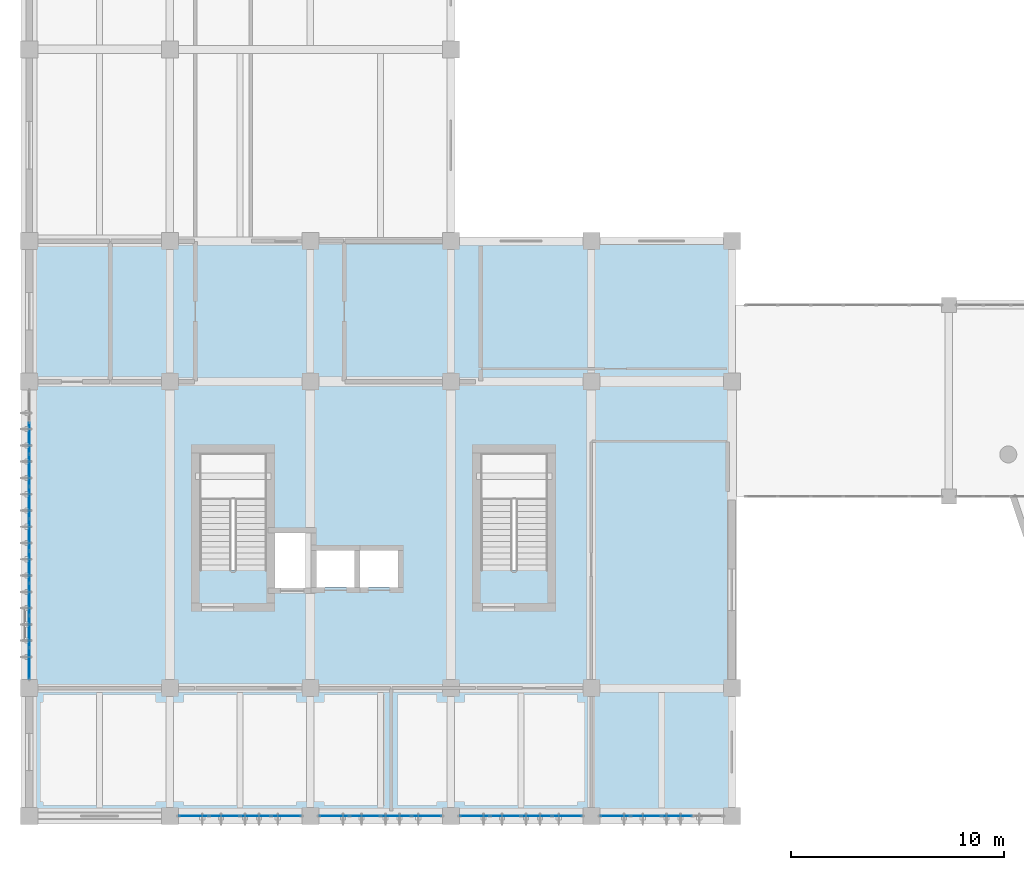
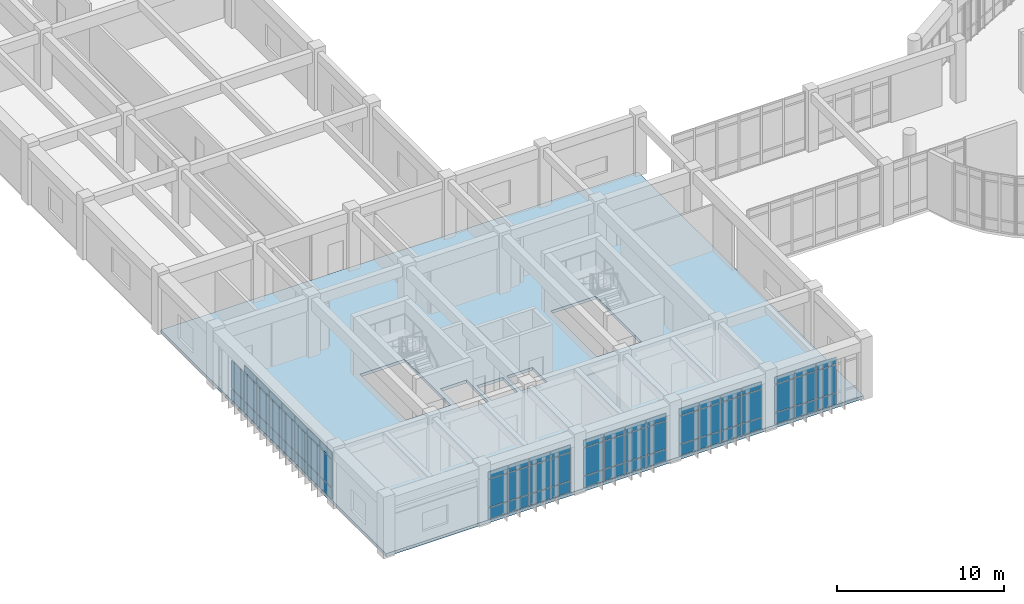
# One storey, part 31 of 54: 68 plates, 1 slab, 5 elements without a shape of their own.
"""IFC4 building model written with IfcOpenShell, lengths in metres."""

from ifc_helpers import new_model, si_unit, direction, frame, origin, origin_2d, place, context, subcontext, project, spatial, polyline, rectangle, outline, extrude, material, layer, layer_set, type_object, element, aggregate, save


model = new_model("IFC4")

# Units and contexts
model_context = context("Model", 3, precision=1e-05, world=origin(), true_north=direction((0.0, 1.0)))
body_context = subcontext(model_context, "Body", "Model", "MODEL_VIEW")
ifc_project = project(units=[si_unit("LENGTHUNIT", "METRE"), si_unit("AREAUNIT", "SQUARE_METRE"), si_unit("VOLUMEUNIT", "CUBIC_METRE"), si_unit("PLANEANGLEUNIT", "RADIAN"), si_unit("MASSUNIT", "GRAM", prefix="KILO")], contexts=[model_context])

# Site, building, storey
site_placement = place(None, origin())
site = spatial("IfcSite", under=ifc_project, at=site_placement, CompositionType="ELEMENT")
building_placement = place(site_placement, origin())
building = spatial("IfcBuilding", under=site, at=building_placement, Name="Miralva Faculty of Natural Sciences", CompositionType="ELEMENT")
storey_placement = place(building_placement, frame((0.0, 0.0, 19.5)))
storey = spatial("IfcBuildingStorey", under=building, at=storey_placement, Name="L04", CompositionType="ELEMENT", Elevation=19.5)

# Curtain wall, plates
ifc_material_1 = material(Name="Laminated solar-control glass", Category="glass")
ifc_layer_1 = layer(ifc_material_1, 0.179931640625, Name="CW-TWR-L03")
ifc_layer_set_1 = layer_set([ifc_layer_1], Name="Laminated solar-control glass")
curtain_wall_type = type_object("IfcCurtainWallType", Name="CW-TWR-L03", PredefinedType="USERDEFINED", material=ifc_layer_set_1)
curtain_wall_1_placement = place(storey_placement, origin())
curtain_wall_1 = element("IfcCurtainWall", 1, at=curtain_wall_1_placement, inside=storey, type_object=curtain_wall_type, Name="Curtain wall CW-14 L04-229", ObjectType="UNITISED CURTAIN WALL", PredefinedType="USERDEFINED")
ifc_layer_2 = layer(ifc_material_1, 0.028076171875, Name="PNL-P01")
ifc_layer_set_2 = layer_set([ifc_layer_2], Name="Laminated solar-control glass")
plate_type = type_object("IfcPlateType", Name="PNL-P01", PredefinedType="CURTAIN_PANEL", material=ifc_layer_set_2)
plate_1_placement = place(storey_placement, frame((10.72998046875, 3.0, 0.06005859375), z_axis=(0.0, 0.0, 1.0), x_axis=(1.0, 0.0, 0.0)))
plate_1 = element("IfcPlate", 2, at=plate_1_placement, type_object=plate_type, Name="CW-14 panel 1.1", PredefinedType="CURTAIN_PANEL", context=body_context, shape_type="SweptSolid", body=[
    extrude(rectangle(XDim=1.360107421875, YDim=0.028076171875, at=origin_2d()), origin(), (0.0, 0.0, 1.0), 0.81005859375),
])
plate_2_placement = place(storey_placement, frame((10.72998046875, 3.0, 0.93017578125), z_axis=(0.0, 0.0, 1.0), x_axis=(1.0, 0.0, 0.0)))
plate_2 = element("IfcPlate", 3, at=plate_2_placement, type_object=plate_type, Name="CW-14 panel 1.2", PredefinedType="CURTAIN_PANEL", context=body_context, shape_type="SweptSolid", body=[
    extrude(rectangle(XDim=1.360107421875, YDim=0.028076171875, at=origin_2d()), origin(), (0.0, 0.0, 1.0), 2.014892578125),
])
plate_3_placement = place(storey_placement, frame((10.72998046875, 3.0, 3.0048828125), z_axis=(0.0, 0.0, 1.0), x_axis=(1.0, 0.0, 0.0)))
plate_3 = element("IfcPlate", 4, at=plate_3_placement, type_object=plate_type, Name="CW-14 panel 1.3", PredefinedType="CURTAIN_PANEL", context=body_context, shape_type="SweptSolid", body=[
    extrude(rectangle(XDim=1.360107421875, YDim=0.028076171875, at=origin_2d()), origin(), (0.0, 0.0, 1.0), 0.510009765625),
])
plate_4_placement = place(storey_placement, frame((12.171142578125, 3.0, 0.06005859375), z_axis=(0.0, 0.0, 1.0), x_axis=(1.0, 0.0, 0.0)))
plate_4 = element("IfcPlate", 5, at=plate_4_placement, type_object=plate_type, Name="CW-14 panel 2.1", PredefinedType="CURTAIN_PANEL", context=body_context, shape_type="SweptSolid", body=[
    extrude(rectangle(XDim=1.392578125, YDim=0.028076171875, at=origin_2d()), origin(), (0.0, 0.0, 1.0), 0.81005859375),
])
plate_5_placement = place(storey_placement, frame((12.171142578125, 3.0, 0.93017578125), z_axis=(0.0, 0.0, 1.0), x_axis=(1.0, 0.0, 0.0)))
plate_5 = element("IfcPlate", 6, at=plate_5_placement, type_object=plate_type, Name="CW-14 panel 2.2", PredefinedType="CURTAIN_PANEL", context=body_context, shape_type="SweptSolid", body=[
    extrude(rectangle(XDim=1.392578125, YDim=0.028076171875, at=origin_2d()), origin(), (0.0, 0.0, 1.0), 2.014892578125),
])
plate_6_placement = place(storey_placement, frame((12.171142578125, 3.0, 3.0048828125), z_axis=(0.0, 0.0, 1.0), x_axis=(1.0, 0.0, 0.0)))
plate_6 = element("IfcPlate", 7, at=plate_6_placement, type_object=plate_type, Name="CW-14 panel 2.3", PredefinedType="CURTAIN_PANEL", context=body_context, shape_type="SweptSolid", body=[
    extrude(rectangle(XDim=1.392578125, YDim=0.028076171875, at=origin_2d()), origin(), (0.0, 0.0, 1.0), 0.510009765625),
])
plate_7_placement = place(storey_placement, frame((13.628662109375, 3.0, 0.06005859375), z_axis=(0.0, 0.0, 1.0), x_axis=(1.0, 0.0, 0.0)))
plate_7 = element("IfcPlate", 8, at=plate_7_placement, type_object=plate_type, Name="CW-14 panel 3.1", PredefinedType="CURTAIN_PANEL", context=body_context, shape_type="SweptSolid", body=[
    extrude(rectangle(XDim=1.392578125, YDim=0.028076171875, at=origin_2d()), origin(), (0.0, 0.0, 1.0), 0.81005859375),
])
plate_8_placement = place(storey_placement, frame((13.628662109375, 3.0, 0.93017578125), z_axis=(0.0, 0.0, 1.0), x_axis=(1.0, 0.0, 0.0)))
plate_8 = element("IfcPlate", 9, at=plate_8_placement, type_object=plate_type, Name="CW-14 panel 3.2", PredefinedType="CURTAIN_PANEL", context=body_context, shape_type="SweptSolid", body=[
    extrude(rectangle(XDim=1.392578125, YDim=0.028076171875, at=origin_2d()), origin(), (0.0, 0.0, 1.0), 2.014892578125),
])
plate_9_placement = place(storey_placement, frame((13.628662109375, 3.0, 3.0048828125), z_axis=(0.0, 0.0, 1.0), x_axis=(1.0, 0.0, 0.0)))
plate_9 = element("IfcPlate", 10, at=plate_9_placement, type_object=plate_type, Name="CW-14 panel 3.3", PredefinedType="CURTAIN_PANEL", context=body_context, shape_type="SweptSolid", body=[
    extrude(rectangle(XDim=1.392578125, YDim=0.028076171875, at=origin_2d()), origin(), (0.0, 0.0, 1.0), 0.510009765625),
])
plate_10_placement = place(storey_placement, frame((15.070068359375, 3.0, 0.06005859375), z_axis=(0.0, 0.0, 1.0), x_axis=(1.0, 0.0, 0.0)))
plate_10 = element("IfcPlate", 11, at=plate_10_placement, type_object=plate_type, Name="CW-14 panel 4.1", PredefinedType="CURTAIN_PANEL", context=body_context, shape_type="SweptSolid", body=[
    extrude(rectangle(XDim=1.360107421875, YDim=0.028076171875, at=origin_2d()), origin(), (0.0, 0.0, 1.0), 0.81005859375),
])
plate_11_placement = place(storey_placement, frame((15.070068359375, 3.0, 0.93017578125), z_axis=(0.0, 0.0, 1.0), x_axis=(1.0, 0.0, 0.0)))
plate_11 = element("IfcPlate", 12, at=plate_11_placement, type_object=plate_type, Name="CW-14 panel 4.2", PredefinedType="CURTAIN_PANEL", context=body_context, shape_type="SweptSolid", body=[
    extrude(rectangle(XDim=1.360107421875, YDim=0.028076171875, at=origin_2d()), origin(), (0.0, 0.0, 1.0), 2.014892578125),
])
plate_12_placement = place(storey_placement, frame((15.070068359375, 3.0, 3.0048828125), z_axis=(0.0, 0.0, 1.0), x_axis=(1.0, 0.0, 0.0)))
plate_12 = element("IfcPlate", 13, at=plate_12_placement, type_object=plate_type, Name="CW-14 panel 4.3", PredefinedType="CURTAIN_PANEL", context=body_context, shape_type="SweptSolid", body=[
    extrude(rectangle(XDim=1.360107421875, YDim=0.028076171875, at=origin_2d()), origin(), (0.0, 0.0, 1.0), 0.510009765625),
])
aggregate(curtain_wall_1, [plate_1, plate_2, plate_3, plate_4, plate_5, plate_6, plate_7, plate_8, plate_9, plate_10, plate_11, plate_12])

curtain_wall_2_placement = place(storey_placement, origin())
curtain_wall_2 = element("IfcCurtainWall", 14, at=curtain_wall_2_placement, inside=storey, type_object=curtain_wall_type, Name="Curtain wall CW-14 L04-230", ObjectType="UNITISED CURTAIN WALL", PredefinedType="USERDEFINED")
plate_13_placement = place(storey_placement, frame((17.330078125, 3.0, 0.06005859375), z_axis=(0.0, 0.0, 1.0), x_axis=(1.0, 0.0, 0.0)))
plate_13 = element("IfcPlate", 15, at=plate_13_placement, type_object=plate_type, Name="CW-14 panel 1.1", PredefinedType="CURTAIN_PANEL", context=body_context, shape_type="SweptSolid", body=[
    extrude(rectangle(XDim=1.360107421875, YDim=0.028076171875, at=origin_2d()), origin(), (0.0, 0.0, 1.0), 0.81005859375),
])
plate_14_placement = place(storey_placement, frame((17.330078125, 3.0, 0.93017578125), z_axis=(0.0, 0.0, 1.0), x_axis=(1.0, 0.0, 0.0)))
plate_14 = element("IfcPlate", 16, at=plate_14_placement, type_object=plate_type, Name="CW-14 panel 1.2", PredefinedType="CURTAIN_PANEL", context=body_context, shape_type="SweptSolid", body=[
    extrude(rectangle(XDim=1.360107421875, YDim=0.028076171875, at=origin_2d()), origin(), (0.0, 0.0, 1.0), 2.014892578125),
])
plate_15_placement = place(storey_placement, frame((17.330078125, 3.0, 3.0048828125), z_axis=(0.0, 0.0, 1.0), x_axis=(1.0, 0.0, 0.0)))
plate_15 = element("IfcPlate", 17, at=plate_15_placement, type_object=plate_type, Name="CW-14 panel 1.3", PredefinedType="CURTAIN_PANEL", context=body_context, shape_type="SweptSolid", body=[
    extrude(rectangle(XDim=1.360107421875, YDim=0.028076171875, at=origin_2d()), origin(), (0.0, 0.0, 1.0), 0.510009765625),
])
plate_16_placement = place(storey_placement, frame((18.771240234375, 3.0, 0.06005859375), z_axis=(0.0, 0.0, 1.0), x_axis=(1.0, 0.0, 0.0)))
plate_16 = element("IfcPlate", 18, at=plate_16_placement, type_object=plate_type, Name="CW-14 panel 2.1", PredefinedType="CURTAIN_PANEL", context=body_context, shape_type="SweptSolid", body=[
    extrude(rectangle(XDim=1.392578125, YDim=0.028076171875, at=origin_2d()), origin(), (0.0, 0.0, 1.0), 0.81005859375),
])
plate_17_placement = place(storey_placement, frame((18.771240234375, 3.0, 0.93017578125), z_axis=(0.0, 0.0, 1.0), x_axis=(1.0, 0.0, 0.0)))
plate_17 = element("IfcPlate", 19, at=plate_17_placement, type_object=plate_type, Name="CW-14 panel 2.2", PredefinedType="CURTAIN_PANEL", context=body_context, shape_type="SweptSolid", body=[
    extrude(rectangle(XDim=1.392578125, YDim=0.028076171875, at=origin_2d()), origin(), (0.0, 0.0, 1.0), 2.014892578125),
])
plate_18_placement = place(storey_placement, frame((18.771240234375, 3.0, 3.0048828125), z_axis=(0.0, 0.0, 1.0), x_axis=(1.0, 0.0, 0.0)))
plate_18 = element("IfcPlate", 20, at=plate_18_placement, type_object=plate_type, Name="CW-14 panel 2.3", PredefinedType="CURTAIN_PANEL", context=body_context, shape_type="SweptSolid", body=[
    extrude(rectangle(XDim=1.392578125, YDim=0.028076171875, at=origin_2d()), origin(), (0.0, 0.0, 1.0), 0.510009765625),
])
plate_19_placement = place(storey_placement, frame((20.228759765625, 3.0, 0.06005859375), z_axis=(0.0, 0.0, 1.0), x_axis=(1.0, 0.0, 0.0)))
plate_19 = element("IfcPlate", 21, at=plate_19_placement, type_object=plate_type, Name="CW-14 panel 3.1", PredefinedType="CURTAIN_PANEL", context=body_context, shape_type="SweptSolid", body=[
    extrude(rectangle(XDim=1.392578125, YDim=0.028076171875, at=origin_2d()), origin(), (0.0, 0.0, 1.0), 0.81005859375),
])
plate_20_placement = place(storey_placement, frame((20.228759765625, 3.0, 0.93017578125), z_axis=(0.0, 0.0, 1.0), x_axis=(1.0, 0.0, 0.0)))
plate_20 = element("IfcPlate", 22, at=plate_20_placement, type_object=plate_type, Name="CW-14 panel 3.2", PredefinedType="CURTAIN_PANEL", context=body_context, shape_type="SweptSolid", body=[
    extrude(rectangle(XDim=1.392578125, YDim=0.028076171875, at=origin_2d()), origin(), (0.0, 0.0, 1.0), 2.014892578125),
])
plate_21_placement = place(storey_placement, frame((20.228759765625, 3.0, 3.0048828125), z_axis=(0.0, 0.0, 1.0), x_axis=(1.0, 0.0, 0.0)))
plate_21 = element("IfcPlate", 23, at=plate_21_placement, type_object=plate_type, Name="CW-14 panel 3.3", PredefinedType="CURTAIN_PANEL", context=body_context, shape_type="SweptSolid", body=[
    extrude(rectangle(XDim=1.392578125, YDim=0.028076171875, at=origin_2d()), origin(), (0.0, 0.0, 1.0), 0.510009765625),
])
plate_22_placement = place(storey_placement, frame((21.669921875, 3.0, 0.06005859375), z_axis=(0.0, 0.0, 1.0), x_axis=(1.0, 0.0, 0.0)))
plate_22 = element("IfcPlate", 24, at=plate_22_placement, type_object=plate_type, Name="CW-14 panel 4.1", PredefinedType="CURTAIN_PANEL", context=body_context, shape_type="SweptSolid", body=[
    extrude(rectangle(XDim=1.360107421875, YDim=0.028076171875, at=origin_2d()), origin(), (0.0, 0.0, 1.0), 0.81005859375),
])
plate_23_placement = place(storey_placement, frame((21.669921875, 3.0, 0.93017578125), z_axis=(0.0, 0.0, 1.0), x_axis=(1.0, 0.0, 0.0)))
plate_23 = element("IfcPlate", 25, at=plate_23_placement, type_object=plate_type, Name="CW-14 panel 4.2", PredefinedType="CURTAIN_PANEL", context=body_context, shape_type="SweptSolid", body=[
    extrude(rectangle(XDim=1.360107421875, YDim=0.028076171875, at=origin_2d()), origin(), (0.0, 0.0, 1.0), 2.014892578125),
])
plate_24_placement = place(storey_placement, frame((21.669921875, 3.0, 3.0048828125), z_axis=(0.0, 0.0, 1.0), x_axis=(1.0, 0.0, 0.0)))
plate_24 = element("IfcPlate", 26, at=plate_24_placement, type_object=plate_type, Name="CW-14 panel 4.3", PredefinedType="CURTAIN_PANEL", context=body_context, shape_type="SweptSolid", body=[
    extrude(rectangle(XDim=1.360107421875, YDim=0.028076171875, at=origin_2d()), origin(), (0.0, 0.0, 1.0), 0.510009765625),
])
aggregate(curtain_wall_2, [plate_13, plate_14, plate_15, plate_16, plate_17, plate_18, plate_19, plate_20, plate_21, plate_22, plate_23, plate_24])

curtain_wall_3_placement = place(storey_placement, origin())
curtain_wall_3 = element("IfcCurtainWall", 27, at=curtain_wall_3_placement, inside=storey, type_object=curtain_wall_type, Name="Curtain wall CW-14 L04-231", ObjectType="UNITISED CURTAIN WALL", PredefinedType="USERDEFINED")
plate_25_placement = place(storey_placement, frame((23.929931640625, 3.0, 0.06005859375), z_axis=(0.0, 0.0, 1.0), x_axis=(1.0, 0.0, 0.0)))
plate_25 = element("IfcPlate", 28, at=plate_25_placement, type_object=plate_type, Name="CW-14 panel 1.1", PredefinedType="CURTAIN_PANEL", context=body_context, shape_type="SweptSolid", body=[
    extrude(rectangle(XDim=1.360107421875, YDim=0.028076171875, at=origin_2d()), origin(), (0.0, 0.0, 1.0), 0.81005859375),
])
plate_26_placement = place(storey_placement, frame((23.929931640625, 3.0, 0.93017578125), z_axis=(0.0, 0.0, 1.0), x_axis=(1.0, 0.0, 0.0)))
plate_26 = element("IfcPlate", 29, at=plate_26_placement, type_object=plate_type, Name="CW-14 panel 1.2", PredefinedType="CURTAIN_PANEL", context=body_context, shape_type="SweptSolid", body=[
    extrude(rectangle(XDim=1.360107421875, YDim=0.028076171875, at=origin_2d()), origin(), (0.0, 0.0, 1.0), 2.014892578125),
])
plate_27_placement = place(storey_placement, frame((23.929931640625, 3.0, 3.0048828125), z_axis=(0.0, 0.0, 1.0), x_axis=(1.0, 0.0, 0.0)))
plate_27 = element("IfcPlate", 30, at=plate_27_placement, type_object=plate_type, Name="CW-14 panel 1.3", PredefinedType="CURTAIN_PANEL", context=body_context, shape_type="SweptSolid", body=[
    extrude(rectangle(XDim=1.360107421875, YDim=0.028076171875, at=origin_2d()), origin(), (0.0, 0.0, 1.0), 0.510009765625),
])
plate_28_placement = place(storey_placement, frame((25.371337890625, 3.0, 0.06005859375), z_axis=(0.0, 0.0, 1.0), x_axis=(1.0, 0.0, 0.0)))
plate_28 = element("IfcPlate", 31, at=plate_28_placement, type_object=plate_type, Name="CW-14 panel 2.1", PredefinedType="CURTAIN_PANEL", context=body_context, shape_type="SweptSolid", body=[
    extrude(rectangle(XDim=1.392578125, YDim=0.028076171875, at=origin_2d()), origin(), (0.0, 0.0, 1.0), 0.81005859375),
])
plate_29_placement = place(storey_placement, frame((25.371337890625, 3.0, 0.93017578125), z_axis=(0.0, 0.0, 1.0), x_axis=(1.0, 0.0, 0.0)))
plate_29 = element("IfcPlate", 32, at=plate_29_placement, type_object=plate_type, Name="CW-14 panel 2.2", PredefinedType="CURTAIN_PANEL", context=body_context, shape_type="SweptSolid", body=[
    extrude(rectangle(XDim=1.392578125, YDim=0.028076171875, at=origin_2d()), origin(), (0.0, 0.0, 1.0), 2.014892578125),
])
plate_30_placement = place(storey_placement, frame((25.371337890625, 3.0, 3.0048828125), z_axis=(0.0, 0.0, 1.0), x_axis=(1.0, 0.0, 0.0)))
plate_30 = element("IfcPlate", 33, at=plate_30_placement, type_object=plate_type, Name="CW-14 panel 2.3", PredefinedType="CURTAIN_PANEL", context=body_context, shape_type="SweptSolid", body=[
    extrude(rectangle(XDim=1.392578125, YDim=0.028076171875, at=origin_2d()), origin(), (0.0, 0.0, 1.0), 0.510009765625),
])
plate_31_placement = place(storey_placement, frame((26.828857421875, 3.0, 0.06005859375), z_axis=(0.0, 0.0, 1.0), x_axis=(1.0, 0.0, 0.0)))
plate_31 = element("IfcPlate", 34, at=plate_31_placement, type_object=plate_type, Name="CW-14 panel 3.1", PredefinedType="CURTAIN_PANEL", context=body_context, shape_type="SweptSolid", body=[
    extrude(rectangle(XDim=1.392578125, YDim=0.028076171875, at=origin_2d()), origin(), (0.0, 0.0, 1.0), 0.81005859375),
])
plate_32_placement = place(storey_placement, frame((26.828857421875, 3.0, 0.93017578125), z_axis=(0.0, 0.0, 1.0), x_axis=(1.0, 0.0, 0.0)))
plate_32 = element("IfcPlate", 35, at=plate_32_placement, type_object=plate_type, Name="CW-14 panel 3.2", PredefinedType="CURTAIN_PANEL", context=body_context, shape_type="SweptSolid", body=[
    extrude(rectangle(XDim=1.392578125, YDim=0.028076171875, at=origin_2d()), origin(), (0.0, 0.0, 1.0), 2.014892578125),
])
plate_33_placement = place(storey_placement, frame((26.828857421875, 3.0, 3.0048828125), z_axis=(0.0, 0.0, 1.0), x_axis=(1.0, 0.0, 0.0)))
plate_33 = element("IfcPlate", 36, at=plate_33_placement, type_object=plate_type, Name="CW-14 panel 3.3", PredefinedType="CURTAIN_PANEL", context=body_context, shape_type="SweptSolid", body=[
    extrude(rectangle(XDim=1.392578125, YDim=0.028076171875, at=origin_2d()), origin(), (0.0, 0.0, 1.0), 0.510009765625),
])
plate_34_placement = place(storey_placement, frame((28.27001953125, 3.0, 0.06005859375), z_axis=(0.0, 0.0, 1.0), x_axis=(1.0, 0.0, 0.0)))
plate_34 = element("IfcPlate", 37, at=plate_34_placement, type_object=plate_type, Name="CW-14 panel 4.1", PredefinedType="CURTAIN_PANEL", context=body_context, shape_type="SweptSolid", body=[
    extrude(rectangle(XDim=1.360107421875, YDim=0.028076171875, at=origin_2d()), origin(), (0.0, 0.0, 1.0), 0.81005859375),
])
plate_35_placement = place(storey_placement, frame((28.27001953125, 3.0, 0.93017578125), z_axis=(0.0, 0.0, 1.0), x_axis=(1.0, 0.0, 0.0)))
plate_35 = element("IfcPlate", 38, at=plate_35_placement, type_object=plate_type, Name="CW-14 panel 4.2", PredefinedType="CURTAIN_PANEL", context=body_context, shape_type="SweptSolid", body=[
    extrude(rectangle(XDim=1.360107421875, YDim=0.028076171875, at=origin_2d()), origin(), (0.0, 0.0, 1.0), 2.014892578125),
])
plate_36_placement = place(storey_placement, frame((28.27001953125, 3.0, 3.0048828125), z_axis=(0.0, 0.0, 1.0), x_axis=(1.0, 0.0, 0.0)))
plate_36 = element("IfcPlate", 39, at=plate_36_placement, type_object=plate_type, Name="CW-14 panel 4.3", PredefinedType="CURTAIN_PANEL", context=body_context, shape_type="SweptSolid", body=[
    extrude(rectangle(XDim=1.360107421875, YDim=0.028076171875, at=origin_2d()), origin(), (0.0, 0.0, 1.0), 0.510009765625),
])
aggregate(curtain_wall_3, [plate_25, plate_26, plate_27, plate_28, plate_29, plate_30, plate_31, plate_32, plate_33, plate_34, plate_35, plate_36])

curtain_wall_4_placement = place(storey_placement, origin())
curtain_wall_4 = element("IfcCurtainWall", 40, at=curtain_wall_4_placement, inside=storey, type_object=curtain_wall_type, Name="Curtain wall CW-14 L04-232", ObjectType="UNITISED CURTAIN WALL", PredefinedType="USERDEFINED")
plate_37_placement = place(storey_placement, frame((30.530029296875, 3.0, 0.06005859375), z_axis=(0.0, 0.0, 1.0), x_axis=(1.0, 0.0, 0.0)))
plate_37 = element("IfcPlate", 41, at=plate_37_placement, type_object=plate_type, Name="CW-14 panel 1.1", PredefinedType="CURTAIN_PANEL", context=body_context, shape_type="SweptSolid", body=[
    extrude(rectangle(XDim=1.360107421875, YDim=0.028076171875, at=origin_2d()), origin(), (0.0, 0.0, 1.0), 0.81005859375),
])
plate_38_placement = place(storey_placement, frame((30.530029296875, 3.0, 0.93017578125), z_axis=(0.0, 0.0, 1.0), x_axis=(1.0, 0.0, 0.0)))
plate_38 = element("IfcPlate", 42, at=plate_38_placement, type_object=plate_type, Name="CW-14 panel 1.2", PredefinedType="CURTAIN_PANEL", context=body_context, shape_type="SweptSolid", body=[
    extrude(rectangle(XDim=1.360107421875, YDim=0.028076171875, at=origin_2d()), origin(), (0.0, 0.0, 1.0), 2.014892578125),
])
plate_39_placement = place(storey_placement, frame((30.530029296875, 3.0, 3.0048828125), z_axis=(0.0, 0.0, 1.0), x_axis=(1.0, 0.0, 0.0)))
plate_39 = element("IfcPlate", 43, at=plate_39_placement, type_object=plate_type, Name="CW-14 panel 1.3", PredefinedType="CURTAIN_PANEL", context=body_context, shape_type="SweptSolid", body=[
    extrude(rectangle(XDim=1.360107421875, YDim=0.028076171875, at=origin_2d()), origin(), (0.0, 0.0, 1.0), 0.510009765625),
])
plate_40_placement = place(storey_placement, frame((31.97119140625, 3.0, 0.06005859375), z_axis=(0.0, 0.0, 1.0), x_axis=(1.0, 0.0, 0.0)))
plate_40 = element("IfcPlate", 44, at=plate_40_placement, type_object=plate_type, Name="CW-14 panel 2.1", PredefinedType="CURTAIN_PANEL", context=body_context, shape_type="SweptSolid", body=[
    extrude(rectangle(XDim=1.392578125, YDim=0.028076171875, at=origin_2d()), origin(), (0.0, 0.0, 1.0), 0.81005859375),
])
plate_41_placement = place(storey_placement, frame((31.97119140625, 3.0, 0.93017578125), z_axis=(0.0, 0.0, 1.0), x_axis=(1.0, 0.0, 0.0)))
plate_41 = element("IfcPlate", 45, at=plate_41_placement, type_object=plate_type, Name="CW-14 panel 2.2", PredefinedType="CURTAIN_PANEL", context=body_context, shape_type="SweptSolid", body=[
    extrude(rectangle(XDim=1.392578125, YDim=0.028076171875, at=origin_2d()), origin(), (0.0, 0.0, 1.0), 2.014892578125),
])
plate_42_placement = place(storey_placement, frame((31.97119140625, 3.0, 3.0048828125), z_axis=(0.0, 0.0, 1.0), x_axis=(1.0, 0.0, 0.0)))
plate_42 = element("IfcPlate", 46, at=plate_42_placement, type_object=plate_type, Name="CW-14 panel 2.3", PredefinedType="CURTAIN_PANEL", context=body_context, shape_type="SweptSolid", body=[
    extrude(rectangle(XDim=1.392578125, YDim=0.028076171875, at=origin_2d()), origin(), (0.0, 0.0, 1.0), 0.510009765625),
])
plate_43_placement = place(storey_placement, frame((33.4287109375, 3.0, 0.06005859375), z_axis=(0.0, 0.0, 1.0), x_axis=(1.0, 0.0, 0.0)))
plate_43 = element("IfcPlate", 47, at=plate_43_placement, type_object=plate_type, Name="CW-14 panel 3.1", PredefinedType="CURTAIN_PANEL", context=body_context, shape_type="SweptSolid", body=[
    extrude(rectangle(XDim=1.392578125, YDim=0.028076171875, at=origin_2d()), origin(), (0.0, 0.0, 1.0), 0.81005859375),
])
plate_44_placement = place(storey_placement, frame((33.4287109375, 3.0, 0.93017578125), z_axis=(0.0, 0.0, 1.0), x_axis=(1.0, 0.0, 0.0)))
plate_44 = element("IfcPlate", 48, at=plate_44_placement, type_object=plate_type, Name="CW-14 panel 3.2", PredefinedType="CURTAIN_PANEL", context=body_context, shape_type="SweptSolid", body=[
    extrude(rectangle(XDim=1.392578125, YDim=0.028076171875, at=origin_2d()), origin(), (0.0, 0.0, 1.0), 2.014892578125),
])
plate_45_placement = place(storey_placement, frame((33.4287109375, 3.0, 3.0048828125), z_axis=(0.0, 0.0, 1.0), x_axis=(1.0, 0.0, 0.0)))
plate_45 = element("IfcPlate", 49, at=plate_45_placement, type_object=plate_type, Name="CW-14 panel 3.3", PredefinedType="CURTAIN_PANEL", context=body_context, shape_type="SweptSolid", body=[
    extrude(rectangle(XDim=1.392578125, YDim=0.028076171875, at=origin_2d()), origin(), (0.0, 0.0, 1.0), 0.510009765625),
])
aggregate(curtain_wall_4, [plate_37, plate_38, plate_39, plate_40, plate_41, plate_42, plate_43, plate_44, plate_45])

curtain_wall_5_placement = place(storey_placement, origin())
curtain_wall_5 = element("IfcCurtainWall", 50, at=curtain_wall_5_placement, inside=storey, type_object=curtain_wall_type, Name="Curtain wall CW-14 L04-233", ObjectType="UNITISED CURTAIN WALL", PredefinedType="USERDEFINED")
plate_46_placement = place(storey_placement, frame((3.0, 10.158447265625, 0.06005859375), z_axis=(0.0, 0.0, 1.0), x_axis=(0.0, 1.0, 0.0)))
plate_46 = element("IfcPlate", 51, at=plate_46_placement, type_object=plate_type, Name="CW-14 panel 1.1", PredefinedType="CURTAIN_PANEL", context=body_context, shape_type="SweptSolid", body=[
    extrude(rectangle(XDim=1.4169921875, YDim=0.028076171875, at=origin_2d()), origin(), (0.0, 0.0, 1.0), 0.81005859375),
])
plate_47_placement = place(storey_placement, frame((3.0, 10.158447265625, 0.93017578125), z_axis=(0.0, 0.0, 1.0), x_axis=(0.0, 1.0, 0.0)))
plate_47 = element("IfcPlate", 52, at=plate_47_placement, type_object=plate_type, Name="CW-14 panel 1.2", PredefinedType="CURTAIN_PANEL", context=body_context, shape_type="SweptSolid", body=[
    extrude(rectangle(XDim=1.4169921875, YDim=0.028076171875, at=origin_2d()), origin(), (0.0, 0.0, 1.0), 2.014892578125),
])
plate_48_placement = place(storey_placement, frame((3.0, 10.158447265625, 3.0048828125), z_axis=(0.0, 0.0, 1.0), x_axis=(0.0, 1.0, 0.0)))
plate_48 = element("IfcPlate", 53, at=plate_48_placement, type_object=plate_type, Name="CW-14 panel 1.3", PredefinedType="CURTAIN_PANEL", context=body_context, shape_type="SweptSolid", body=[
    extrude(rectangle(XDim=1.4169921875, YDim=0.028076171875, at=origin_2d()), origin(), (0.0, 0.0, 1.0), 0.510009765625),
])
plate_49_placement = place(storey_placement, frame((3.0, 11.65673828125, 0.06005859375), z_axis=(0.0, 0.0, 1.0), x_axis=(0.0, 1.0, 0.0)))
plate_49 = element("IfcPlate", 54, at=plate_49_placement, type_object=plate_type, Name="CW-14 panel 2.1", PredefinedType="CURTAIN_PANEL", context=body_context, shape_type="SweptSolid", body=[
    extrude(rectangle(XDim=1.449462890625, YDim=0.028076171875, at=origin_2d()), origin(), (0.0, 0.0, 1.0), 0.81005859375),
])
plate_50_placement = place(storey_placement, frame((3.0, 11.65673828125, 0.93017578125), z_axis=(0.0, 0.0, 1.0), x_axis=(0.0, 1.0, 0.0)))
plate_50 = element("IfcPlate", 55, at=plate_50_placement, type_object=plate_type, Name="CW-14 panel 2.2", PredefinedType="CURTAIN_PANEL", context=body_context, shape_type="SweptSolid", body=[
    extrude(rectangle(XDim=1.449462890625, YDim=0.028076171875, at=origin_2d()), origin(), (0.0, 0.0, 1.0), 2.014892578125),
])
plate_51_placement = place(storey_placement, frame((3.0, 11.65673828125, 3.0048828125), z_axis=(0.0, 0.0, 1.0), x_axis=(0.0, 1.0, 0.0)))
plate_51 = element("IfcPlate", 56, at=plate_51_placement, type_object=plate_type, Name="CW-14 panel 2.3", PredefinedType="CURTAIN_PANEL", context=body_context, shape_type="SweptSolid", body=[
    extrude(rectangle(XDim=1.449462890625, YDim=0.028076171875, at=origin_2d()), origin(), (0.0, 0.0, 1.0), 0.510009765625),
])
plate_52_placement = place(storey_placement, frame((3.0, 13.171142578125, 0.06005859375), z_axis=(0.0, 0.0, 1.0), x_axis=(0.0, 1.0, 0.0)))
plate_52 = element("IfcPlate", 57, at=plate_52_placement, type_object=plate_type, Name="CW-14 panel 3.1", PredefinedType="CURTAIN_PANEL", context=body_context, shape_type="SweptSolid", body=[
    extrude(rectangle(XDim=1.449462890625, YDim=0.028076171875, at=origin_2d()), origin(), (0.0, 0.0, 1.0), 0.81005859375),
])
plate_53_placement = place(storey_placement, frame((3.0, 13.171142578125, 0.93017578125), z_axis=(0.0, 0.0, 1.0), x_axis=(0.0, 1.0, 0.0)))
plate_53 = element("IfcPlate", 58, at=plate_53_placement, type_object=plate_type, Name="CW-14 panel 3.2", PredefinedType="CURTAIN_PANEL", context=body_context, shape_type="SweptSolid", body=[
    extrude(rectangle(XDim=1.449462890625, YDim=0.028076171875, at=origin_2d()), origin(), (0.0, 0.0, 1.0), 2.014892578125),
])
plate_54_placement = place(storey_placement, frame((3.0, 13.171142578125, 3.0048828125), z_axis=(0.0, 0.0, 1.0), x_axis=(0.0, 1.0, 0.0)))
plate_54 = element("IfcPlate", 59, at=plate_54_placement, type_object=plate_type, Name="CW-14 panel 3.3", PredefinedType="CURTAIN_PANEL", context=body_context, shape_type="SweptSolid", body=[
    extrude(rectangle(XDim=1.449462890625, YDim=0.028076171875, at=origin_2d()), origin(), (0.0, 0.0, 1.0), 0.510009765625),
])
plate_55_placement = place(storey_placement, frame((3.0, 14.685546875, 0.06005859375), z_axis=(0.0, 0.0, 1.0), x_axis=(0.0, 1.0, 0.0)))
plate_55 = element("IfcPlate", 60, at=plate_55_placement, type_object=plate_type, Name="CW-14 panel 4.1", PredefinedType="CURTAIN_PANEL", context=body_context, shape_type="SweptSolid", body=[
    extrude(rectangle(XDim=1.449462890625, YDim=0.028076171875, at=origin_2d()), origin(), (0.0, 0.0, 1.0), 0.81005859375),
])
plate_56_placement = place(storey_placement, frame((3.0, 14.685546875, 0.93017578125), z_axis=(0.0, 0.0, 1.0), x_axis=(0.0, 1.0, 0.0)))
plate_56 = element("IfcPlate", 61, at=plate_56_placement, type_object=plate_type, Name="CW-14 panel 4.2", PredefinedType="CURTAIN_PANEL", context=body_context, shape_type="SweptSolid", body=[
    extrude(rectangle(XDim=1.449462890625, YDim=0.028076171875, at=origin_2d()), origin(), (0.0, 0.0, 1.0), 2.014892578125),
])
plate_57_placement = place(storey_placement, frame((3.0, 14.685546875, 3.0048828125), z_axis=(0.0, 0.0, 1.0), x_axis=(0.0, 1.0, 0.0)))
plate_57 = element("IfcPlate", 62, at=plate_57_placement, type_object=plate_type, Name="CW-14 panel 4.3", PredefinedType="CURTAIN_PANEL", context=body_context, shape_type="SweptSolid", body=[
    extrude(rectangle(XDim=1.449462890625, YDim=0.028076171875, at=origin_2d()), origin(), (0.0, 0.0, 1.0), 0.510009765625),
])
plate_58_placement = place(storey_placement, frame((3.0, 16.199951171875, 0.06005859375), z_axis=(0.0, 0.0, 1.0), x_axis=(0.0, 1.0, 0.0)))
plate_58 = element("IfcPlate", 63, at=plate_58_placement, type_object=plate_type, Name="CW-14 panel 5.1", PredefinedType="CURTAIN_PANEL", context=body_context, shape_type="SweptSolid", body=[
    extrude(rectangle(XDim=1.449462890625, YDim=0.028076171875, at=origin_2d()), origin(), (0.0, 0.0, 1.0), 0.81005859375),
])
plate_59_placement = place(storey_placement, frame((3.0, 16.199951171875, 0.93017578125), z_axis=(0.0, 0.0, 1.0), x_axis=(0.0, 1.0, 0.0)))
plate_59 = element("IfcPlate", 64, at=plate_59_placement, type_object=plate_type, Name="CW-14 panel 5.2", PredefinedType="CURTAIN_PANEL", context=body_context, shape_type="SweptSolid", body=[
    extrude(rectangle(XDim=1.449462890625, YDim=0.028076171875, at=origin_2d()), origin(), (0.0, 0.0, 1.0), 2.014892578125),
])
plate_60_placement = place(storey_placement, frame((3.0, 16.199951171875, 3.0048828125), z_axis=(0.0, 0.0, 1.0), x_axis=(0.0, 1.0, 0.0)))
plate_60 = element("IfcPlate", 65, at=plate_60_placement, type_object=plate_type, Name="CW-14 panel 5.3", PredefinedType="CURTAIN_PANEL", context=body_context, shape_type="SweptSolid", body=[
    extrude(rectangle(XDim=1.449462890625, YDim=0.028076171875, at=origin_2d()), origin(), (0.0, 0.0, 1.0), 0.510009765625),
])
plate_61_placement = place(storey_placement, frame((3.0, 17.71435546875, 0.06005859375), z_axis=(0.0, 0.0, 1.0), x_axis=(0.0, 1.0, 0.0)))
plate_61 = element("IfcPlate", 66, at=plate_61_placement, type_object=plate_type, Name="CW-14 panel 6.1", PredefinedType="CURTAIN_PANEL", context=body_context, shape_type="SweptSolid", body=[
    extrude(rectangle(XDim=1.449462890625, YDim=0.028076171875, at=origin_2d()), origin(), (0.0, 0.0, 1.0), 0.81005859375),
])
plate_62_placement = place(storey_placement, frame((3.0, 17.71435546875, 0.93017578125), z_axis=(0.0, 0.0, 1.0), x_axis=(0.0, 1.0, 0.0)))
plate_62 = element("IfcPlate", 67, at=plate_62_placement, type_object=plate_type, Name="CW-14 panel 6.2", PredefinedType="CURTAIN_PANEL", context=body_context, shape_type="SweptSolid", body=[
    extrude(rectangle(XDim=1.449462890625, YDim=0.028076171875, at=origin_2d()), origin(), (0.0, 0.0, 1.0), 2.014892578125),
])
plate_63_placement = place(storey_placement, frame((3.0, 17.71435546875, 3.0048828125), z_axis=(0.0, 0.0, 1.0), x_axis=(0.0, 1.0, 0.0)))
plate_63 = element("IfcPlate", 68, at=plate_63_placement, type_object=plate_type, Name="CW-14 panel 6.3", PredefinedType="CURTAIN_PANEL", context=body_context, shape_type="SweptSolid", body=[
    extrude(rectangle(XDim=1.449462890625, YDim=0.028076171875, at=origin_2d()), origin(), (0.0, 0.0, 1.0), 0.510009765625),
])
plate_64_placement = place(storey_placement, frame((3.0, 19.22900390625, 0.06005859375), z_axis=(0.0, 0.0, 1.0), x_axis=(0.0, 1.0, 0.0)))
plate_64 = element("IfcPlate", 69, at=plate_64_placement, type_object=plate_type, Name="CW-14 panel 7.1", PredefinedType="CURTAIN_PANEL", context=body_context, shape_type="SweptSolid", body=[
    extrude(rectangle(XDim=1.449462890625, YDim=0.028076171875, at=origin_2d()), origin(), (0.0, 0.0, 1.0), 0.81005859375),
])
plate_65_placement = place(storey_placement, frame((3.0, 19.22900390625, 0.93017578125), z_axis=(0.0, 0.0, 1.0), x_axis=(0.0, 1.0, 0.0)))
plate_65 = element("IfcPlate", 70, at=plate_65_placement, type_object=plate_type, Name="CW-14 panel 7.2", PredefinedType="CURTAIN_PANEL", context=body_context, shape_type="SweptSolid", body=[
    extrude(rectangle(XDim=1.449462890625, YDim=0.028076171875, at=origin_2d()), origin(), (0.0, 0.0, 1.0), 2.014892578125),
])
plate_66_placement = place(storey_placement, frame((3.0, 19.22900390625, 3.0048828125), z_axis=(0.0, 0.0, 1.0), x_axis=(0.0, 1.0, 0.0)))
plate_66 = element("IfcPlate", 71, at=plate_66_placement, type_object=plate_type, Name="CW-14 panel 7.3", PredefinedType="CURTAIN_PANEL", context=body_context, shape_type="SweptSolid", body=[
    extrude(rectangle(XDim=1.449462890625, YDim=0.028076171875, at=origin_2d()), origin(), (0.0, 0.0, 1.0), 0.510009765625),
])
plate_67_placement = place(storey_placement, frame((3.0, 20.743408203125, 0.06005859375), z_axis=(0.0, 0.0, 1.0), x_axis=(0.0, 1.0, 0.0)))
plate_67 = element("IfcPlate", 72, at=plate_67_placement, type_object=plate_type, Name="CW-14 panel 8.1", PredefinedType="CURTAIN_PANEL", context=body_context, shape_type="SweptSolid", body=[
    extrude(rectangle(XDim=1.449462890625, YDim=0.028076171875, at=origin_2d()), origin(), (0.0, 0.0, 1.0), 0.81005859375),
])
plate_68_placement = place(storey_placement, frame((3.0, 20.743408203125, 0.93017578125), z_axis=(0.0, 0.0, 1.0), x_axis=(0.0, 1.0, 0.0)))
plate_68 = element("IfcPlate", 73, at=plate_68_placement, type_object=plate_type, Name="CW-14 panel 8.2", PredefinedType="CURTAIN_PANEL", context=body_context, shape_type="SweptSolid", body=[
    extrude(rectangle(XDim=1.449462890625, YDim=0.028076171875, at=origin_2d()), origin(), (0.0, 0.0, 1.0), 2.014892578125),
])
aggregate(curtain_wall_5, [plate_46, plate_47, plate_48, plate_49, plate_50, plate_51, plate_52, plate_53, plate_54, plate_55, plate_56, plate_57, plate_58, plate_59, plate_60, plate_61, plate_62, plate_63, plate_64, plate_65, plate_66, plate_67, plate_68])

# Slab
ifc_material_2 = material(Name="Concrete C40/50", Category="concrete")
ifc_layer_3 = layer(ifc_material_2, 0.219970703125, Name="SL-FL04")
ifc_layer_set_3 = layer_set([ifc_layer_3], Name="Concrete C40/50")
slab_type = type_object("IfcSlabType", Name="SL-FL04", PredefinedType="FLOOR", material=ifc_layer_set_3)
slab_placement = place(storey_placement, frame((0.0, 0.0, -0.219970703125)))
element("IfcSlab", 74, at=slab_placement, inside=storey, type_object=slab_type, Name="V5 L04 floor slab", PredefinedType="FLOOR", context=body_context, shape_type="SweptSolid", body=[
    extrude(outline(polyline([(36.0, 3.0), (3.0, 3.0), (3.0, 30.0), (36.0, 30.0), (36.0, 3.0)]), holes=[polyline([(14.125, 14.52490234375), (11.02490234375, 14.52490234375), (11.02490234375, 20.02490234375), (14.125, 20.02490234375), (14.125, 14.52490234375)]), polyline([(16.25, 13.699951171875), (14.449951171875, 13.699951171875), (14.449951171875, 16.300048828125), (16.25, 16.300048828125), (16.25, 13.699951171875)]), polyline([(18.2900390625, 13.72509765625), (16.489990234375, 13.72509765625), (16.489990234375, 15.47509765625), (18.2900390625, 15.47509765625), (18.2900390625, 13.72509765625)]), polyline([(27.324951171875, 14.52490234375), (24.22509765625, 14.52490234375), (24.22509765625, 20.02490234375), (27.324951171875, 20.02490234375), (27.324951171875, 14.52490234375)]), polyline([(20.330078125, 13.72509765625), (18.530029296875, 13.72509765625), (18.530029296875, 15.47509765625), (20.330078125, 15.47509765625), (20.330078125, 13.72509765625)])]), origin(), (0.0, 0.0, 1.0), 0.219970703125),
])

save(model, "model.ifc")
